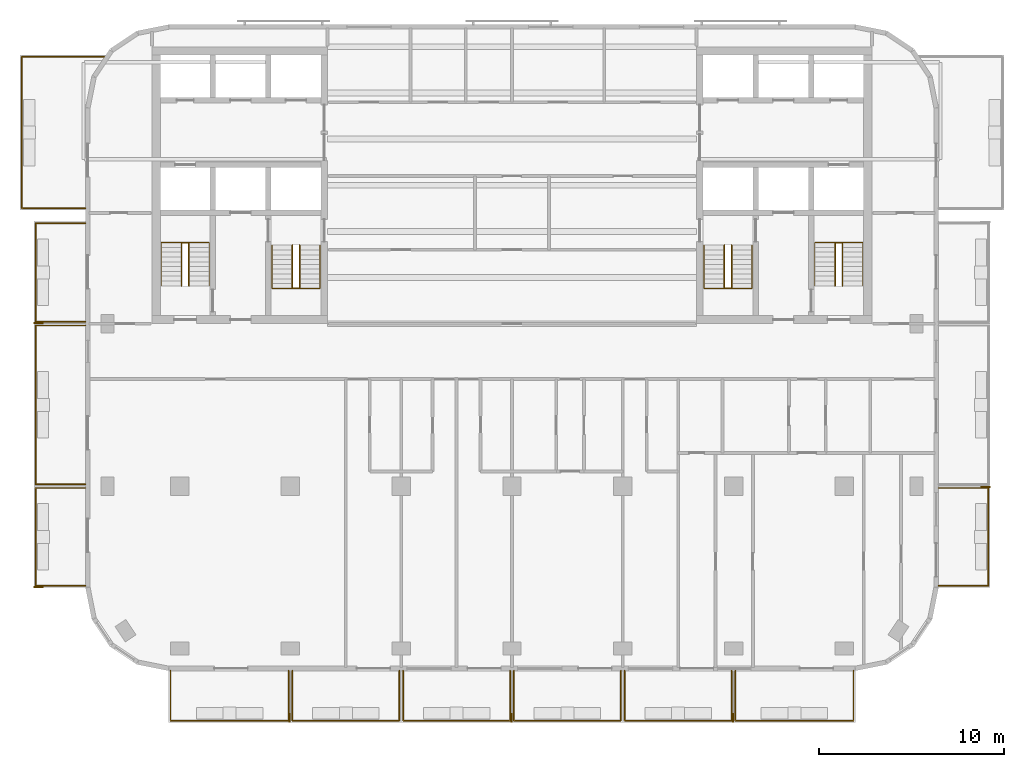
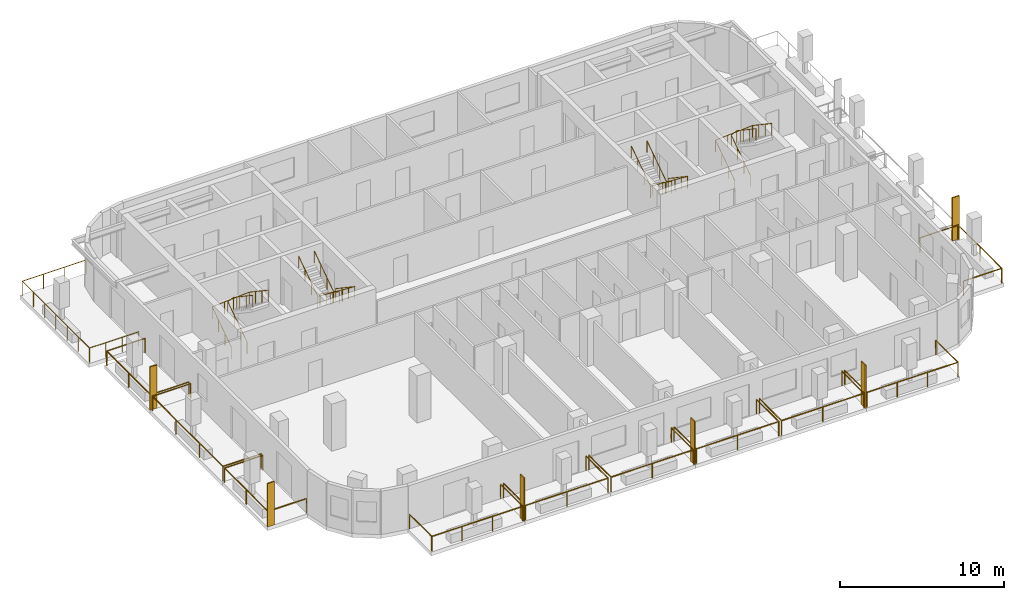
# One storey, part 9 of 11: 19 railings, 6 shading devices.
"""IFC4 building model written with IfcOpenShell, lengths in metres."""

from ifc_helpers import new_model, si_unit, direction, frame, origin, origin_2d, place, context, subcontext, project, spatial, rectangle, circle, extrude, material, layer, layer_set, type_object, element, save


model = new_model("IFC4")

# Units and contexts
model_context = context("Model", 3, precision=1e-05, world=origin(), true_north=direction((0.0, 1.0)))
body_context = subcontext(model_context, "Body", "Model", "MODEL_VIEW")
ifc_project = project(units=[si_unit("LENGTHUNIT", "METRE"), si_unit("AREAUNIT", "SQUARE_METRE"), si_unit("VOLUMEUNIT", "CUBIC_METRE"), si_unit("PLANEANGLEUNIT", "RADIAN"), si_unit("MASSUNIT", "GRAM", prefix="KILO")], contexts=[model_context])

# Site, building, storey
site_placement = place(None, origin())
site = spatial("IfcSite", under=ifc_project, at=site_placement, CompositionType="ELEMENT")
building_placement = place(site_placement, origin())
building = spatial("IfcBuilding", under=site, at=building_placement, Name="Torana Hotel and Residences", CompositionType="ELEMENT")
storey_placement = place(building_placement, frame((0.0, 0.0, 266.60009765625)))
storey = spatial("IfcBuildingStorey", under=building, at=storey_placement, Name="L70", CompositionType="ELEMENT", Elevation=266.60009765625)

# Shading devices
ifc_material_1 = material(Name="Black powder coated aluminium", Category="aluminium")
ifc_layer = layer(ifc_material_1, 0.080078125)
ifc_layer_set = layer_set([ifc_layer], Name="FN1 VERTICAL FIN 500x80")
shading_device_type = type_object("IfcShadingDeviceType", Name="FN1 VERTICAL FIN 500x80", PredefinedType="USERDEFINED", material=ifc_layer_set)
for number, where, z_axis, x_axis, name in (
    (1, (-12.0400390625, -36.35009765625, 0.0), (0.0, 0.0, 1.0), (-1.0, 0.0, 0.0), "Fin 01"),
    (2, (-0.0400390625, -36.35009765625, 0.0), (0.0, 0.0, 1.0), (-1.0, 0.0, 0.0), "Fin 03"),
    (3, (11.9599609375, -36.35009765625, 0.0), (0.0, 0.0, 1.0), (-1.0, 0.0, 0.0), "Fin 05"),
    (4, (-25.64990234375, -29.260009765625, 0.0), (0.0, 0.0, 1.0), (0.0, 1.0, 0.0), "Fin 07"),
    (5, (-25.64990234375, -14.9599609375, 0.0), (0.0, 0.0, 1.0), (0.0, 1.0, 0.0), "Fin 09"),
    (6, (25.64990234375, -23.840087890625, 0.0), (0.0, 0.0, 1.0), (0.0, -1.0, 0.0), "Fin 11"),
):
    element("IfcShadingDevice", number, at=place(storey_placement, frame(where, z_axis=z_axis, x_axis=x_axis)), inside=storey, type_object=shading_device_type, Name=name, ObjectType="FIN", PredefinedType="USERDEFINED", context=body_context, shape_type="SweptSolid", body=[
        extrude(rectangle(XDim=0.080078125, YDim=0.5, at=origin_2d()), origin(), (0.0, 0.0, 1.0), 3.219970703125),
    ])

# Railings
ifc_material_2 = material(Name="Laminated glass balustrade with black handrail", Category="glass")
railing_type_1 = type_object("IfcRailingType", Name="GR1 BALCONY GUARD 1100 GLASS", PredefinedType="GUARDRAIL", material=ifc_material_2)
railing_1_placement = place(storey_placement, frame((-12.10009765625, -33.800048828125, 0.0)))
element("IfcRailing", 7, at=railing_1_placement, inside=storey, type_object=railing_type_1, Name="Balcony guard 01", PredefinedType="GUARDRAIL", context=body_context, shape_type="SweptSolid", body=[
    extrude(circle(Radius=0.02392578125, at=origin_2d()), frame((0.0, 0.0, 1.076171875), z_axis=(0.0, -1.0, 0.0), x_axis=(1.0, 0.0, 0.0)), (0.0, 0.0, 1.0), 2.699951171875),
    extrude(circle(Radius=0.02392578125, at=origin_2d()), frame((0.0, -2.699951171875, 1.076171875), z_axis=(-1.0, 0.0, 0.0), x_axis=(0.0, -1.0, 0.0)), (0.0, 0.0, 1.0), 6.39990234375),
    extrude(circle(Radius=0.02392578125, at=origin_2d()), frame((-6.39990234375, -2.699951171875, 1.076171875), z_axis=(0.0, 1.0, 0.0), x_axis=(-1.0, 0.0, 0.0)), (0.0, 0.0, 1.0), 2.699951171875),
    extrude(circle(Radius=0.02099609375, at=origin_2d()), origin(), (0.0, 0.0, 1.0), 1.052001953125),
    extrude(circle(Radius=0.02099609375, at=origin_2d()), frame((0.0, -2.699951171875, 0.0)), (0.0, 0.0, 1.0), 1.052001953125),
    extrude(circle(Radius=0.02099609375, at=origin_2d()), frame((-2.13330078125, -2.699951171875, 0.0)), (0.0, 0.0, 1.0), 1.052001953125),
    extrude(circle(Radius=0.02099609375, at=origin_2d()), frame((-4.2666015625, -2.699951171875, 0.0)), (0.0, 0.0, 1.0), 1.052001953125),
    extrude(circle(Radius=0.02099609375, at=origin_2d()), frame((-6.39990234375, -2.699951171875, 0.0)), (0.0, 0.0, 1.0), 1.052001953125),
    extrude(circle(Radius=0.02099609375, at=origin_2d()), frame((-6.39990234375, 0.0, 0.0)), (0.0, 0.0, 1.0), 1.052001953125),
])
for number, where, name in (
    (8, (-6.10009765625, -33.800048828125, 0.0), "Balcony guard 02"),
    (9, (-0.10009765625, -33.800048828125, 0.0), "Balcony guard 03"),
    (10, (5.89990234375, -33.800048828125, 0.0), "Balcony guard 04"),
    (11, (11.89990234375, -33.800048828125, 0.0), "Balcony guard 05"),
):
    element("IfcRailing", number, at=place(storey_placement, frame(where)), inside=storey, type_object=railing_type_1, Name=name, PredefinedType="GUARDRAIL", context=body_context, shape_type="SweptSolid", body=[
        extrude(circle(Radius=0.02392578125, at=origin_2d()), frame((0.0, 0.0, 1.076171875), z_axis=(0.0, -1.0, 0.0), x_axis=(1.0, 0.0, 0.0)), (0.0, 0.0, 1.0), 2.699951171875),
        extrude(circle(Radius=0.02392578125, at=origin_2d()), frame((0.0, -2.699951171875, 1.076171875), z_axis=(-1.0, 0.0, 0.0), x_axis=(0.0, -1.0, 0.0)), (0.0, 0.0, 1.0), 5.7998046875),
        extrude(circle(Radius=0.02392578125, at=origin_2d()), frame((-5.7998046875, -2.699951171875, 1.076171875), z_axis=(0.0, 1.0, 0.0), x_axis=(-1.0, 0.0, 0.0)), (0.0, 0.0, 1.0), 2.699951171875),
        extrude(circle(Radius=0.02099609375, at=origin_2d()), origin(), (0.0, 0.0, 1.0), 1.052001953125),
        extrude(circle(Radius=0.02099609375, at=origin_2d()), frame((0.0, -2.699951171875, 0.0)), (0.0, 0.0, 1.0), 1.052001953125),
        extrude(circle(Radius=0.02099609375, at=origin_2d()), frame((-2.89990234375, -2.699951171875, 0.0)), (0.0, 0.0, 1.0), 1.052001953125),
        extrude(circle(Radius=0.02099609375, at=origin_2d()), frame((-5.7998046875, -2.699951171875, 0.0)), (0.0, 0.0, 1.0), 1.052001953125),
        extrude(circle(Radius=0.02099609375, at=origin_2d()), frame((-5.7998046875, 0.0, 0.0)), (0.0, 0.0, 1.0), 1.052001953125),
    ])
railing_2_placement = place(storey_placement, frame((18.5, -33.800048828125, 0.0)))
element("IfcRailing", 12, at=railing_2_placement, inside=storey, type_object=railing_type_1, Name="Balcony guard 06", PredefinedType="GUARDRAIL", context=body_context, shape_type="SweptSolid", body=[
    extrude(circle(Radius=0.02392578125, at=origin_2d()), frame((0.0, 0.0, 1.076171875), z_axis=(0.0, -1.0, 0.0), x_axis=(1.0, 0.0, 0.0)), (0.0, 0.0, 1.0), 2.699951171875),
    extrude(circle(Radius=0.02392578125, at=origin_2d()), frame((0.0, -2.699951171875, 1.076171875), z_axis=(-1.0, 0.0, 0.0), x_axis=(0.0, -1.0, 0.0)), (0.0, 0.0, 1.0), 6.39990234375),
    extrude(circle(Radius=0.02392578125, at=origin_2d()), frame((-6.39990234375, -2.699951171875, 1.076171875), z_axis=(0.0, 1.0, 0.0), x_axis=(-1.0, 0.0, 0.0)), (0.0, 0.0, 1.0), 2.699951171875),
    extrude(circle(Radius=0.02099609375, at=origin_2d()), origin(), (0.0, 0.0, 1.0), 1.052001953125),
    extrude(circle(Radius=0.02099609375, at=origin_2d()), frame((0.0, -2.699951171875, 0.0)), (0.0, 0.0, 1.0), 1.052001953125),
    extrude(circle(Radius=0.02099609375, at=origin_2d()), frame((-2.13330078125, -2.699951171875, 0.0)), (0.0, 0.0, 1.0), 1.052001953125),
    extrude(circle(Radius=0.02099609375, at=origin_2d()), frame((-4.2666015625, -2.699951171875, 0.0)), (0.0, 0.0, 1.0), 1.052001953125),
    extrude(circle(Radius=0.02099609375, at=origin_2d()), frame((-6.39990234375, -2.699951171875, 0.0)), (0.0, 0.0, 1.0), 1.052001953125),
    extrude(circle(Radius=0.02099609375, at=origin_2d()), frame((-6.39990234375, 0.0, 0.0)), (0.0, 0.0, 1.0), 1.052001953125),
])
railing_3_placement = place(storey_placement, frame((-23.10009765625, -29.199951171875, 0.0)))
element("IfcRailing", 13, at=railing_3_placement, inside=storey, type_object=railing_type_1, Name="Balcony guard 07", PredefinedType="GUARDRAIL", context=body_context, shape_type="SweptSolid", body=[
    extrude(circle(Radius=0.02392578125, at=origin_2d()), frame((0.0, 0.0, 1.076171875), z_axis=(-1.0, 0.0, 0.0), x_axis=(0.0, -1.0, 0.0)), (0.0, 0.0, 1.0), 2.699951171875),
    extrude(circle(Radius=0.02392578125, at=origin_2d()), frame((-2.699951171875, 0.0, 1.076171875), z_axis=(0.0, 1.0, 0.0), x_axis=(-1.0, 0.0, 0.0)), (0.0, 0.0, 1.0), 5.300048828125),
    extrude(circle(Radius=0.02392578125, at=origin_2d()), frame((-2.699951171875, 5.300048828125, 1.076171875), z_axis=(1.0, 0.0, 0.0), x_axis=(0.0, 1.0, 0.0)), (0.0, 0.0, 1.0), 2.699951171875),
    extrude(circle(Radius=0.02099609375, at=origin_2d()), origin(), (0.0, 0.0, 1.0), 1.052001953125),
    extrude(circle(Radius=0.02099609375, at=origin_2d()), frame((-2.699951171875, 0.0, 0.0)), (0.0, 0.0, 1.0), 1.052001953125),
    extrude(circle(Radius=0.02099609375, at=origin_2d()), frame((-2.699951171875, 2.64990234375, 0.0)), (0.0, 0.0, 1.0), 1.052001953125),
    extrude(circle(Radius=0.02099609375, at=origin_2d()), frame((-2.699951171875, 5.300048828125, 0.0)), (0.0, 0.0, 1.0), 1.052001953125),
    extrude(circle(Radius=0.02099609375, at=origin_2d()), frame((0.0, 5.300048828125, 0.0)), (0.0, 0.0, 1.0), 1.052001953125),
])
railing_4_placement = place(storey_placement, frame((-23.10009765625, -23.699951171875, 0.0)))
element("IfcRailing", 14, at=railing_4_placement, inside=storey, type_object=railing_type_1, Name="Balcony guard 08", PredefinedType="GUARDRAIL", context=body_context, shape_type="SweptSolid", body=[
    extrude(circle(Radius=0.02392578125, at=origin_2d()), frame((0.0, 0.0, 1.076171875), z_axis=(-1.0, 0.0, 0.0), x_axis=(0.0, -1.0, 0.0)), (0.0, 0.0, 1.0), 2.699951171875),
    extrude(circle(Radius=0.02392578125, at=origin_2d()), frame((-2.699951171875, 0.0, 1.076171875), z_axis=(0.0, 1.0, 0.0), x_axis=(-1.0, 0.0, 0.0)), (0.0, 0.0, 1.0), 8.599853515625),
    extrude(circle(Radius=0.02392578125, at=origin_2d()), frame((-2.699951171875, 8.599853515625, 1.076171875), z_axis=(1.0, 0.0, 0.0), x_axis=(0.0, 1.0, 0.0)), (0.0, 0.0, 1.0), 2.699951171875),
    extrude(circle(Radius=0.02099609375, at=origin_2d()), origin(), (0.0, 0.0, 1.0), 1.052001953125),
    extrude(circle(Radius=0.02099609375, at=origin_2d()), frame((-2.699951171875, 0.0, 0.0)), (0.0, 0.0, 1.0), 1.052001953125),
    extrude(circle(Radius=0.02099609375, at=origin_2d()), frame((-2.699951171875, 2.86669921875, 0.0)), (0.0, 0.0, 1.0), 1.052001953125),
    extrude(circle(Radius=0.02099609375, at=origin_2d()), frame((-2.699951171875, 5.733154296875, 0.0)), (0.0, 0.0, 1.0), 1.052001953125),
    extrude(circle(Radius=0.02099609375, at=origin_2d()), frame((-2.699951171875, 8.599853515625, 0.0)), (0.0, 0.0, 1.0), 1.052001953125),
    extrude(circle(Radius=0.02099609375, at=origin_2d()), frame((0.0, 8.599853515625, 0.0)), (0.0, 0.0, 1.0), 1.052001953125),
])
railing_5_placement = place(storey_placement, frame((-23.10009765625, -14.89990234375, 0.0)))
element("IfcRailing", 15, at=railing_5_placement, inside=storey, type_object=railing_type_1, Name="Balcony guard 09", PredefinedType="GUARDRAIL", context=body_context, shape_type="SweptSolid", body=[
    extrude(circle(Radius=0.02392578125, at=origin_2d()), frame((0.0, 0.0, 1.076171875), z_axis=(-1.0, 0.0, 0.0), x_axis=(0.0, -1.0, 0.0)), (0.0, 0.0, 1.0), 2.699951171875),
    extrude(circle(Radius=0.02392578125, at=origin_2d()), frame((-2.699951171875, 0.0, 1.076171875), z_axis=(0.0, 1.0, 0.0), x_axis=(-1.0, 0.0, 0.0)), (0.0, 0.0, 1.0), 5.349853515625),
    extrude(circle(Radius=0.02392578125, at=origin_2d()), frame((-2.699951171875, 5.349853515625, 1.076171875), z_axis=(1.0, 0.0, 0.0), x_axis=(0.0, 1.0, 0.0)), (0.0, 0.0, 1.0), 2.699951171875),
    extrude(circle(Radius=0.02099609375, at=origin_2d()), origin(), (0.0, 0.0, 1.0), 1.052001953125),
    extrude(circle(Radius=0.02099609375, at=origin_2d()), frame((-2.699951171875, 0.0, 0.0)), (0.0, 0.0, 1.0), 1.052001953125),
    extrude(circle(Radius=0.02099609375, at=origin_2d()), frame((-2.699951171875, 2.6748046875, 0.0)), (0.0, 0.0, 1.0), 1.052001953125),
    extrude(circle(Radius=0.02099609375, at=origin_2d()), frame((-2.699951171875, 5.349853515625, 0.0)), (0.0, 0.0, 1.0), 1.052001953125),
    extrude(circle(Radius=0.02099609375, at=origin_2d()), frame((0.0, 5.349853515625, 0.0)), (0.0, 0.0, 1.0), 1.052001953125),
])
railing_6_placement = place(storey_placement, frame((-23.10009765625, -8.75, 0.0)))
element("IfcRailing", 16, at=railing_6_placement, inside=storey, type_object=railing_type_1, Name="Balcony guard 10", PredefinedType="GUARDRAIL", context=body_context, shape_type="SweptSolid", body=[
    extrude(circle(Radius=0.02392578125, at=origin_2d()), frame((0.0, 0.0, 1.076171875), z_axis=(-1.0, 0.0, 0.0), x_axis=(0.0, -1.0, 0.0)), (0.0, 0.0, 1.0), 3.449951171875),
    extrude(circle(Radius=0.02392578125, at=origin_2d()), frame((-3.449951171875, 0.0, 1.076171875), z_axis=(0.0, 1.0, 0.0), x_axis=(-1.0, 0.0, 0.0)), (0.0, 0.0, 1.0), 8.199951171875),
    extrude(circle(Radius=0.02392578125, at=origin_2d()), frame((-3.449951171875, 8.199951171875, 1.076171875), z_axis=(1.0, 0.0, 0.0), x_axis=(0.0, 1.0, 0.0)), (0.0, 0.0, 1.0), 4.479248046875),
    extrude(circle(Radius=0.02099609375, at=origin_2d()), origin(), (0.0, 0.0, 1.0), 1.052001953125),
    extrude(circle(Radius=0.02099609375, at=origin_2d()), frame((-1.14990234375, 0.0, 0.0)), (0.0, 0.0, 1.0), 1.052001953125),
    extrude(circle(Radius=0.02099609375, at=origin_2d()), frame((-2.300048828125, 0.0, 0.0)), (0.0, 0.0, 1.0), 1.052001953125),
    extrude(circle(Radius=0.02099609375, at=origin_2d()), frame((-3.449951171875, 0.0, 0.0)), (0.0, 0.0, 1.0), 1.052001953125),
    extrude(circle(Radius=0.02099609375, at=origin_2d()), frame((-3.449951171875, 1.36669921875, 0.0)), (0.0, 0.0, 1.0), 1.052001953125),
    extrude(circle(Radius=0.02099609375, at=origin_2d()), frame((-3.449951171875, 2.7333984375, 0.0)), (0.0, 0.0, 1.0), 1.052001953125),
    extrude(circle(Radius=0.02099609375, at=origin_2d()), frame((-3.449951171875, 4.10009765625, 0.0)), (0.0, 0.0, 1.0), 1.052001953125),
    extrude(circle(Radius=0.02099609375, at=origin_2d()), frame((-3.449951171875, 5.466552734375, 0.0)), (0.0, 0.0, 1.0), 1.052001953125),
    extrude(circle(Radius=0.02099609375, at=origin_2d()), frame((-3.449951171875, 6.833251953125, 0.0)), (0.0, 0.0, 1.0), 1.052001953125),
    extrude(circle(Radius=0.02099609375, at=origin_2d()), frame((-3.449951171875, 8.199951171875, 0.0)), (0.0, 0.0, 1.0), 1.052001953125),
    extrude(circle(Radius=0.02099609375, at=origin_2d()), frame((-1.956787109375, 8.199951171875, 0.0)), (0.0, 0.0, 1.0), 1.052001953125),
    extrude(circle(Radius=0.02099609375, at=origin_2d()), frame((-0.4638671875, 8.199951171875, 0.0)), (0.0, 0.0, 1.0), 1.052001953125),
    extrude(circle(Radius=0.02099609375, at=origin_2d()), frame((1.029296875, 8.199951171875, 0.0)), (0.0, 0.0, 1.0), 1.052001953125),
])
railing_7_placement = place(storey_placement, frame((23.10009765625, -23.89990234375, 0.0)))
element("IfcRailing", 17, at=railing_7_placement, inside=storey, type_object=railing_type_1, Name="Balcony guard 11", PredefinedType="GUARDRAIL", context=body_context, shape_type="SweptSolid", body=[
    extrude(circle(Radius=0.02392578125, at=origin_2d()), frame((0.0, 0.0, 1.076171875), z_axis=(1.0, 0.0, 0.0), x_axis=(0.0, 1.0, 0.0)), (0.0, 0.0, 1.0), 2.699951171875),
    extrude(circle(Radius=0.02392578125, at=origin_2d()), frame((2.699951171875, 0.0, 1.076171875), z_axis=(0.0, -1.0, 0.0), x_axis=(1.0, 0.0, 0.0)), (0.0, 0.0, 1.0), 5.300048828125),
    extrude(circle(Radius=0.02392578125, at=origin_2d()), frame((2.699951171875, -5.300048828125, 1.076171875), z_axis=(-1.0, 0.0, 0.0), x_axis=(0.0, -1.0, 0.0)), (0.0, 0.0, 1.0), 2.699951171875),
    extrude(circle(Radius=0.02099609375, at=origin_2d()), origin(), (0.0, 0.0, 1.0), 1.052001953125),
    extrude(circle(Radius=0.02099609375, at=origin_2d()), frame((2.699951171875, 0.0, 0.0)), (0.0, 0.0, 1.0), 1.052001953125),
    extrude(circle(Radius=0.02099609375, at=origin_2d()), frame((2.699951171875, -2.64990234375, 0.0)), (0.0, 0.0, 1.0), 1.052001953125),
    extrude(circle(Radius=0.02099609375, at=origin_2d()), frame((2.699951171875, -5.300048828125, 0.0)), (0.0, 0.0, 1.0), 1.052001953125),
    extrude(circle(Radius=0.02099609375, at=origin_2d()), frame((0.0, -5.300048828125, 0.0)), (0.0, 0.0, 1.0), 1.052001953125),
])
ifc_material_3 = material(Name="Stainless steel 316", Category="steel")
railing_type_2 = type_object("IfcRailingType", Name="STAIR HANDRAIL HR1 900", PredefinedType="HANDRAIL", material=ifc_material_3)
railing_8_placement = place(storey_placement, frame((-10.39990234375, -10.75, 0.1748046875)))
element("IfcRailing", 18, at=railing_8_placement, inside=storey, type_object=railing_type_2, Name="Handrail ST1 L70 O1", PredefinedType="HANDRAIL", context=body_context, shape_type="SweptSolid", body=[
    extrude(circle(Radius=0.02392578125, at=origin_2d()), frame((0.0, 0.0, 0.8759765625), z_axis=(0.0, -0.829565388462, 0.558409586474), x_axis=(1.0, 0.0, 0.0)), (0.0, 0.0, 1.0), 2.82080078125),
    extrude(circle(Radius=0.02392578125, at=origin_2d()), frame((0.0, -2.340087890625, 2.451171875), z_axis=(-0.997747692642, 0.0, 0.067078624219), x_axis=(0.0, -1.0, 0.0)), (0.0, 0.0, 1.0), 2.60595703125),
    extrude(circle(Radius=0.02392578125, at=origin_2d()), frame((-2.60009765625, -2.340087890625, 2.6259765625), z_axis=(0.0, 0.829565388462, 0.558409586474), x_axis=(-1.0, 0.0, 0.0)), (0.0, 0.0, 1.0), 2.82080078125),
    extrude(circle(Radius=0.02099609375, at=origin_2d()), origin(), (0.0, 0.0, 1.0), 0.851806640625),
    extrude(circle(Radius=0.02099609375, at=origin_2d()), frame((0.0, -0.780029296875, 0.525146484375)), (0.0, 0.0, 1.0), 0.851806640625),
    extrude(circle(Radius=0.02099609375, at=origin_2d()), frame((0.0, -1.56005859375, 1.050048828125)), (0.0, 0.0, 1.0), 0.851806640625),
    extrude(circle(Radius=0.02099609375, at=origin_2d()), frame((0.0, -2.340087890625, 1.5751953125)), (0.0, 0.0, 1.0), 0.851806640625),
    extrude(circle(Radius=0.02099609375, at=origin_2d()), frame((-0.86669921875, -2.340087890625, 1.633544921875)), (0.0, 0.0, 1.0), 0.851806640625),
    extrude(circle(Radius=0.02099609375, at=origin_2d()), frame((-1.7333984375, -2.340087890625, 1.691650390625)), (0.0, 0.0, 1.0), 0.851806640625),
    extrude(circle(Radius=0.02099609375, at=origin_2d()), frame((-2.60009765625, -2.340087890625, 1.75)), (0.0, 0.0, 1.0), 0.851806640625),
    extrude(circle(Radius=0.02099609375, at=origin_2d()), frame((-2.60009765625, -1.56005859375, 2.275146484375)), (0.0, 0.0, 1.0), 0.851806640625),
    extrude(circle(Radius=0.02099609375, at=origin_2d()), frame((-2.60009765625, -0.780029296875, 2.800048828125)), (0.0, 0.0, 1.0), 0.851806640625),
    extrude(circle(Radius=0.02099609375, at=origin_2d()), frame((-2.60009765625, 0.0, 3.3251953125)), (0.0, 0.0, 1.0), 0.851806640625),
])
railing_9_placement = place(storey_placement, frame((-11.5, -10.75, 0.1748046875)))
element("IfcRailing", 19, at=railing_9_placement, inside=storey, type_object=railing_type_2, Name="Handrail ST1 L70 I1", PredefinedType="HANDRAIL", context=body_context, shape_type="SweptSolid", body=[
    extrude(circle(Radius=0.02392578125, at=origin_2d()), frame((0.0, 0.0, 0.8759765625), z_axis=(0.0, -0.829565388462, 0.558409586474), x_axis=(1.0, 0.0, 0.0)), (0.0, 0.0, 1.0), 2.82080078125),
    extrude(circle(Radius=0.02392578125, at=origin_2d()), frame((0.0, -2.340087890625, 2.451171875), z_axis=(-0.916285673175, 0.0, 0.400525361412), x_axis=(0.0, -1.0, 0.0)), (0.0, 0.0, 1.0), 0.4365234375),
    extrude(circle(Radius=0.02392578125, at=origin_2d()), frame((-0.39990234375, -2.340087890625, 2.6259765625), z_axis=(0.0, 0.829565388462, 0.558409586474), x_axis=(-1.0, 0.0, 0.0)), (0.0, 0.0, 1.0), 2.82080078125),
    extrude(circle(Radius=0.02099609375, at=origin_2d()), origin(), (0.0, 0.0, 1.0), 0.851806640625),
    extrude(circle(Radius=0.02099609375, at=origin_2d()), frame((0.0, -0.780029296875, 0.525146484375)), (0.0, 0.0, 1.0), 0.851806640625),
    extrude(circle(Radius=0.02099609375, at=origin_2d()), frame((0.0, -1.56005859375, 1.050048828125)), (0.0, 0.0, 1.0), 0.851806640625),
    extrude(circle(Radius=0.02099609375, at=origin_2d()), frame((0.0, -2.340087890625, 1.5751953125)), (0.0, 0.0, 1.0), 0.851806640625),
    extrude(circle(Radius=0.02099609375, at=origin_2d()), frame((-0.39990234375, -2.340087890625, 1.75)), (0.0, 0.0, 1.0), 0.851806640625),
    extrude(circle(Radius=0.02099609375, at=origin_2d()), frame((-0.39990234375, -1.56005859375, 2.275146484375)), (0.0, 0.0, 1.0), 0.851806640625),
    extrude(circle(Radius=0.02099609375, at=origin_2d()), frame((-0.39990234375, -0.780029296875, 2.800048828125)), (0.0, 0.0, 1.0), 0.851806640625),
    extrude(circle(Radius=0.02099609375, at=origin_2d()), frame((-0.39990234375, 0.0, 3.3251953125)), (0.0, 0.0, 1.0), 0.851806640625),
])
railing_10_placement = place(storey_placement, frame((-19.0, -12.949951171875, 0.1748046875)))
element("IfcRailing", 20, at=railing_10_placement, inside=storey, type_object=railing_type_2, Name="Handrail ST2 L70 O1", PredefinedType="HANDRAIL", context=body_context, shape_type="SweptSolid", body=[
    extrude(circle(Radius=0.02392578125, at=origin_2d()), frame((0.0, 0.0, 0.8759765625), z_axis=(0.0, 0.829538397957, 0.558449681095), x_axis=(-1.0, 0.0, 0.0)), (0.0, 0.0, 1.0), 2.820556640625),
    extrude(circle(Radius=0.02392578125, at=origin_2d()), frame((0.0, 2.33984375, 2.451171875), z_axis=(0.997747692642, 0.0, 0.067078624219), x_axis=(0.0, 1.0, 0.0)), (0.0, 0.0, 1.0), 2.60595703125),
    extrude(circle(Radius=0.02392578125, at=origin_2d()), frame((2.60009765625, 2.33984375, 2.6259765625), z_axis=(0.0, -0.829538397957, 0.558449681095), x_axis=(1.0, 0.0, 0.0)), (0.0, 0.0, 1.0), 2.820556640625),
    extrude(circle(Radius=0.02099609375, at=origin_2d()), origin(), (0.0, 0.0, 1.0), 0.851806640625),
    extrude(circle(Radius=0.02099609375, at=origin_2d()), frame((0.0, 0.780029296875, 0.525146484375)), (0.0, 0.0, 1.0), 0.851806640625),
    extrude(circle(Radius=0.02099609375, at=origin_2d()), frame((0.0, 1.559814453125, 1.050048828125)), (0.0, 0.0, 1.0), 0.851806640625),
    extrude(circle(Radius=0.02099609375, at=origin_2d()), frame((0.0, 2.33984375, 1.5751953125)), (0.0, 0.0, 1.0), 0.851806640625),
    extrude(circle(Radius=0.02099609375, at=origin_2d()), frame((0.86669921875, 2.33984375, 1.633544921875)), (0.0, 0.0, 1.0), 0.851806640625),
    extrude(circle(Radius=0.02099609375, at=origin_2d()), frame((1.7333984375, 2.33984375, 1.691650390625)), (0.0, 0.0, 1.0), 0.851806640625),
    extrude(circle(Radius=0.02099609375, at=origin_2d()), frame((2.60009765625, 2.33984375, 1.75)), (0.0, 0.0, 1.0), 0.851806640625),
    extrude(circle(Radius=0.02099609375, at=origin_2d()), frame((2.60009765625, 1.559814453125, 2.275146484375)), (0.0, 0.0, 1.0), 0.851806640625),
    extrude(circle(Radius=0.02099609375, at=origin_2d()), frame((2.60009765625, 0.780029296875, 2.800048828125)), (0.0, 0.0, 1.0), 0.851806640625),
    extrude(circle(Radius=0.02099609375, at=origin_2d()), frame((2.60009765625, 0.0, 3.3251953125)), (0.0, 0.0, 1.0), 0.851806640625),
])
railing_11_placement = place(storey_placement, frame((-17.89990234375, -12.949951171875, 0.1748046875)))
element("IfcRailing", 21, at=railing_11_placement, inside=storey, type_object=railing_type_2, Name="Handrail ST2 L70 I1", PredefinedType="HANDRAIL", context=body_context, shape_type="SweptSolid", body=[
    extrude(circle(Radius=0.02392578125, at=origin_2d()), frame((0.0, 0.0, 0.8759765625), z_axis=(0.0, 0.829538397957, 0.558449681095), x_axis=(-1.0, 0.0, 0.0)), (0.0, 0.0, 1.0), 2.820556640625),
    extrude(circle(Radius=0.02392578125, at=origin_2d()), frame((0.0, 2.33984375, 2.451171875), z_axis=(0.916285673175, 0.0, 0.400525361412), x_axis=(0.0, 1.0, 0.0)), (0.0, 0.0, 1.0), 0.4365234375),
    extrude(circle(Radius=0.02392578125, at=origin_2d()), frame((0.39990234375, 2.33984375, 2.6259765625), z_axis=(0.0, -0.829538397957, 0.558449681095), x_axis=(1.0, 0.0, 0.0)), (0.0, 0.0, 1.0), 2.820556640625),
    extrude(circle(Radius=0.02099609375, at=origin_2d()), origin(), (0.0, 0.0, 1.0), 0.851806640625),
    extrude(circle(Radius=0.02099609375, at=origin_2d()), frame((0.0, 0.780029296875, 0.525146484375)), (0.0, 0.0, 1.0), 0.851806640625),
    extrude(circle(Radius=0.02099609375, at=origin_2d()), frame((0.0, 1.559814453125, 1.050048828125)), (0.0, 0.0, 1.0), 0.851806640625),
    extrude(circle(Radius=0.02099609375, at=origin_2d()), frame((0.0, 2.33984375, 1.5751953125)), (0.0, 0.0, 1.0), 0.851806640625),
    extrude(circle(Radius=0.02099609375, at=origin_2d()), frame((0.39990234375, 2.33984375, 1.75)), (0.0, 0.0, 1.0), 0.851806640625),
    extrude(circle(Radius=0.02099609375, at=origin_2d()), frame((0.39990234375, 1.559814453125, 2.275146484375)), (0.0, 0.0, 1.0), 0.851806640625),
    extrude(circle(Radius=0.02099609375, at=origin_2d()), frame((0.39990234375, 0.780029296875, 2.800048828125)), (0.0, 0.0, 1.0), 0.851806640625),
    extrude(circle(Radius=0.02099609375, at=origin_2d()), frame((0.39990234375, 0.0, 3.3251953125)), (0.0, 0.0, 1.0), 0.851806640625),
])
railing_12_placement = place(storey_placement, frame((13.0, -10.75, 0.1748046875)))
element("IfcRailing", 22, at=railing_12_placement, inside=storey, type_object=railing_type_2, Name="Handrail ST3 L70 O1", PredefinedType="HANDRAIL", context=body_context, shape_type="SweptSolid", body=[
    extrude(circle(Radius=0.02392578125, at=origin_2d()), frame((0.0, 0.0, 0.8759765625), z_axis=(0.0, -0.829565388462, 0.558409586474), x_axis=(1.0, 0.0, 0.0)), (0.0, 0.0, 1.0), 2.82080078125),
    extrude(circle(Radius=0.02392578125, at=origin_2d()), frame((0.0, -2.340087890625, 2.451171875), z_axis=(-0.997747692642, 0.0, 0.067078624219), x_axis=(0.0, -1.0, 0.0)), (0.0, 0.0, 1.0), 2.60595703125),
    extrude(circle(Radius=0.02392578125, at=origin_2d()), frame((-2.60009765625, -2.340087890625, 2.6259765625), z_axis=(0.0, 0.829565388462, 0.558409586474), x_axis=(-1.0, 0.0, 0.0)), (0.0, 0.0, 1.0), 2.82080078125),
    extrude(circle(Radius=0.02099609375, at=origin_2d()), origin(), (0.0, 0.0, 1.0), 0.851806640625),
    extrude(circle(Radius=0.02099609375, at=origin_2d()), frame((0.0, -0.780029296875, 0.525146484375)), (0.0, 0.0, 1.0), 0.851806640625),
    extrude(circle(Radius=0.02099609375, at=origin_2d()), frame((0.0, -1.56005859375, 1.050048828125)), (0.0, 0.0, 1.0), 0.851806640625),
    extrude(circle(Radius=0.02099609375, at=origin_2d()), frame((0.0, -2.340087890625, 1.5751953125)), (0.0, 0.0, 1.0), 0.851806640625),
    extrude(circle(Radius=0.02099609375, at=origin_2d()), frame((-0.86669921875, -2.340087890625, 1.633544921875)), (0.0, 0.0, 1.0), 0.851806640625),
    extrude(circle(Radius=0.02099609375, at=origin_2d()), frame((-1.7333984375, -2.340087890625, 1.691650390625)), (0.0, 0.0, 1.0), 0.851806640625),
    extrude(circle(Radius=0.02099609375, at=origin_2d()), frame((-2.60009765625, -2.340087890625, 1.75)), (0.0, 0.0, 1.0), 0.851806640625),
    extrude(circle(Radius=0.02099609375, at=origin_2d()), frame((-2.60009765625, -1.56005859375, 2.275146484375)), (0.0, 0.0, 1.0), 0.851806640625),
    extrude(circle(Radius=0.02099609375, at=origin_2d()), frame((-2.60009765625, -0.780029296875, 2.800048828125)), (0.0, 0.0, 1.0), 0.851806640625),
    extrude(circle(Radius=0.02099609375, at=origin_2d()), frame((-2.60009765625, 0.0, 3.3251953125)), (0.0, 0.0, 1.0), 0.851806640625),
])
railing_13_placement = place(storey_placement, frame((11.89990234375, -10.75, 0.1748046875)))
element("IfcRailing", 23, at=railing_13_placement, inside=storey, type_object=railing_type_2, Name="Handrail ST3 L70 I1", PredefinedType="HANDRAIL", context=body_context, shape_type="SweptSolid", body=[
    extrude(circle(Radius=0.02392578125, at=origin_2d()), frame((0.0, 0.0, 0.8759765625), z_axis=(0.0, -0.829565388462, 0.558409586474), x_axis=(1.0, 0.0, 0.0)), (0.0, 0.0, 1.0), 2.82080078125),
    extrude(circle(Radius=0.02392578125, at=origin_2d()), frame((0.0, -2.340087890625, 2.451171875), z_axis=(-0.916285673175, 0.0, 0.400525361412), x_axis=(0.0, -1.0, 0.0)), (0.0, 0.0, 1.0), 0.4365234375),
    extrude(circle(Radius=0.02392578125, at=origin_2d()), frame((-0.39990234375, -2.340087890625, 2.6259765625), z_axis=(0.0, 0.829565388462, 0.558409586474), x_axis=(-1.0, 0.0, 0.0)), (0.0, 0.0, 1.0), 2.82080078125),
    extrude(circle(Radius=0.02099609375, at=origin_2d()), origin(), (0.0, 0.0, 1.0), 0.851806640625),
    extrude(circle(Radius=0.02099609375, at=origin_2d()), frame((0.0, -0.780029296875, 0.525146484375)), (0.0, 0.0, 1.0), 0.851806640625),
    extrude(circle(Radius=0.02099609375, at=origin_2d()), frame((0.0, -1.56005859375, 1.050048828125)), (0.0, 0.0, 1.0), 0.851806640625),
    extrude(circle(Radius=0.02099609375, at=origin_2d()), frame((0.0, -2.340087890625, 1.5751953125)), (0.0, 0.0, 1.0), 0.851806640625),
    extrude(circle(Radius=0.02099609375, at=origin_2d()), frame((-0.39990234375, -2.340087890625, 1.75)), (0.0, 0.0, 1.0), 0.851806640625),
    extrude(circle(Radius=0.02099609375, at=origin_2d()), frame((-0.39990234375, -1.56005859375, 2.275146484375)), (0.0, 0.0, 1.0), 0.851806640625),
    extrude(circle(Radius=0.02099609375, at=origin_2d()), frame((-0.39990234375, -0.780029296875, 2.800048828125)), (0.0, 0.0, 1.0), 0.851806640625),
    extrude(circle(Radius=0.02099609375, at=origin_2d()), frame((-0.39990234375, 0.0, 3.3251953125)), (0.0, 0.0, 1.0), 0.851806640625),
])
railing_14_placement = place(storey_placement, frame((16.39990234375, -12.949951171875, 0.1748046875)))
element("IfcRailing", 24, at=railing_14_placement, inside=storey, type_object=railing_type_2, Name="Handrail ST4 L70 O1", PredefinedType="HANDRAIL", context=body_context, shape_type="SweptSolid", body=[
    extrude(circle(Radius=0.02392578125, at=origin_2d()), frame((0.0, 0.0, 0.8759765625), z_axis=(0.0, 0.829538397957, 0.558449681095), x_axis=(-1.0, 0.0, 0.0)), (0.0, 0.0, 1.0), 2.820556640625),
    extrude(circle(Radius=0.02392578125, at=origin_2d()), frame((0.0, 2.33984375, 2.451171875), z_axis=(0.997747692642, 0.0, 0.067078624219), x_axis=(0.0, 1.0, 0.0)), (0.0, 0.0, 1.0), 2.60595703125),
    extrude(circle(Radius=0.02392578125, at=origin_2d()), frame((2.60009765625, 2.33984375, 2.6259765625), z_axis=(0.0, -0.829538397957, 0.558449681095), x_axis=(1.0, 0.0, 0.0)), (0.0, 0.0, 1.0), 2.820556640625),
    extrude(circle(Radius=0.02099609375, at=origin_2d()), origin(), (0.0, 0.0, 1.0), 0.851806640625),
    extrude(circle(Radius=0.02099609375, at=origin_2d()), frame((0.0, 0.780029296875, 0.525146484375)), (0.0, 0.0, 1.0), 0.851806640625),
    extrude(circle(Radius=0.02099609375, at=origin_2d()), frame((0.0, 1.559814453125, 1.050048828125)), (0.0, 0.0, 1.0), 0.851806640625),
    extrude(circle(Radius=0.02099609375, at=origin_2d()), frame((0.0, 2.33984375, 1.5751953125)), (0.0, 0.0, 1.0), 0.851806640625),
    extrude(circle(Radius=0.02099609375, at=origin_2d()), frame((0.86669921875, 2.33984375, 1.633544921875)), (0.0, 0.0, 1.0), 0.851806640625),
    extrude(circle(Radius=0.02099609375, at=origin_2d()), frame((1.7333984375, 2.33984375, 1.691650390625)), (0.0, 0.0, 1.0), 0.851806640625),
    extrude(circle(Radius=0.02099609375, at=origin_2d()), frame((2.60009765625, 2.33984375, 1.75)), (0.0, 0.0, 1.0), 0.851806640625),
    extrude(circle(Radius=0.02099609375, at=origin_2d()), frame((2.60009765625, 1.559814453125, 2.275146484375)), (0.0, 0.0, 1.0), 0.851806640625),
    extrude(circle(Radius=0.02099609375, at=origin_2d()), frame((2.60009765625, 0.780029296875, 2.800048828125)), (0.0, 0.0, 1.0), 0.851806640625),
    extrude(circle(Radius=0.02099609375, at=origin_2d()), frame((2.60009765625, 0.0, 3.3251953125)), (0.0, 0.0, 1.0), 0.851806640625),
])
railing_15_placement = place(storey_placement, frame((17.5, -12.949951171875, 0.1748046875)))
element("IfcRailing", 25, at=railing_15_placement, inside=storey, type_object=railing_type_2, Name="Handrail ST4 L70 I1", PredefinedType="HANDRAIL", context=body_context, shape_type="SweptSolid", body=[
    extrude(circle(Radius=0.02392578125, at=origin_2d()), frame((0.0, 0.0, 0.8759765625), z_axis=(0.0, 0.829538397957, 0.558449681095), x_axis=(-1.0, 0.0, 0.0)), (0.0, 0.0, 1.0), 2.820556640625),
    extrude(circle(Radius=0.02392578125, at=origin_2d()), frame((0.0, 2.33984375, 2.451171875), z_axis=(0.916285673175, 0.0, 0.400525361412), x_axis=(0.0, 1.0, 0.0)), (0.0, 0.0, 1.0), 0.4365234375),
    extrude(circle(Radius=0.02392578125, at=origin_2d()), frame((0.39990234375, 2.33984375, 2.6259765625), z_axis=(0.0, -0.829538397957, 0.558449681095), x_axis=(1.0, 0.0, 0.0)), (0.0, 0.0, 1.0), 2.820556640625),
    extrude(circle(Radius=0.02099609375, at=origin_2d()), origin(), (0.0, 0.0, 1.0), 0.851806640625),
    extrude(circle(Radius=0.02099609375, at=origin_2d()), frame((0.0, 0.780029296875, 0.525146484375)), (0.0, 0.0, 1.0), 0.851806640625),
    extrude(circle(Radius=0.02099609375, at=origin_2d()), frame((0.0, 1.559814453125, 1.050048828125)), (0.0, 0.0, 1.0), 0.851806640625),
    extrude(circle(Radius=0.02099609375, at=origin_2d()), frame((0.0, 2.33984375, 1.5751953125)), (0.0, 0.0, 1.0), 0.851806640625),
    extrude(circle(Radius=0.02099609375, at=origin_2d()), frame((0.39990234375, 2.33984375, 1.75)), (0.0, 0.0, 1.0), 0.851806640625),
    extrude(circle(Radius=0.02099609375, at=origin_2d()), frame((0.39990234375, 1.559814453125, 2.275146484375)), (0.0, 0.0, 1.0), 0.851806640625),
    extrude(circle(Radius=0.02099609375, at=origin_2d()), frame((0.39990234375, 0.780029296875, 2.800048828125)), (0.0, 0.0, 1.0), 0.851806640625),
    extrude(circle(Radius=0.02099609375, at=origin_2d()), frame((0.39990234375, 0.0, 3.3251953125)), (0.0, 0.0, 1.0), 0.851806640625),
])

save(model, "model.ifc")
